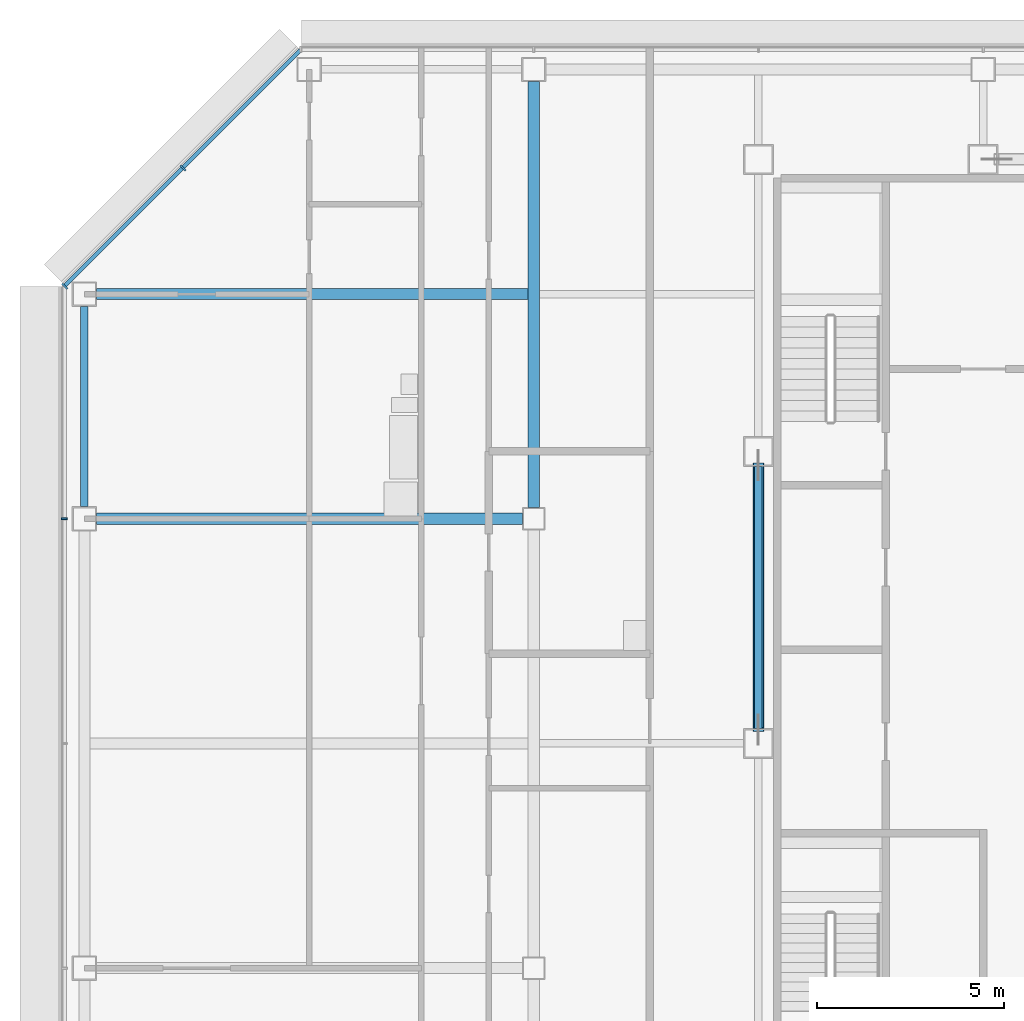
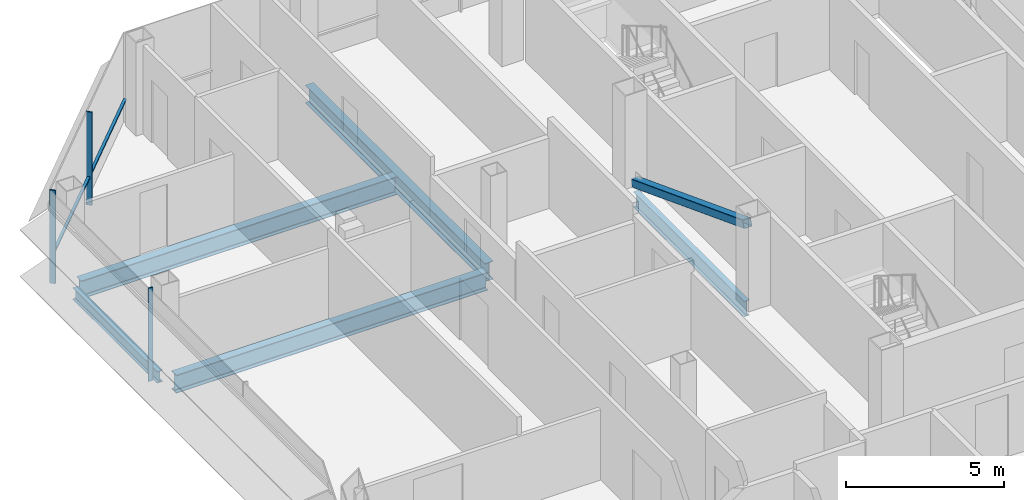
# One storey, part 11 of 26: 5 beams, 5 members, 2 elements without a shape of their own.
"""IFC4 building model written with IfcOpenShell, lengths in metres."""

from ifc_helpers import new_model, si_unit, direction, frame, origin, origin_2d, place, context, subcontext, project, spatial, rectangle, hollow_rectangle, i_section, extrude, material, material_profile, profile_set, type_object, element, aggregate, save


model = new_model("IFC4")

# Units and contexts
model_context = context("Model", 3, precision=1e-05, world=origin(), true_north=direction((0.0, 1.0)))
body_context = subcontext(model_context, "Body", "Model", "MODEL_VIEW")
ifc_project = project(units=[si_unit("LENGTHUNIT", "METRE"), si_unit("AREAUNIT", "SQUARE_METRE"), si_unit("VOLUMEUNIT", "CUBIC_METRE"), si_unit("PLANEANGLEUNIT", "RADIAN"), si_unit("MASSUNIT", "GRAM", prefix="KILO")], contexts=[model_context])

# Site, building, storey
site_placement = place(None, origin())
site = spatial("IfcSite", under=ifc_project, at=site_placement, CompositionType="ELEMENT")
building_placement = place(site_placement, origin())
building = spatial("IfcBuilding", under=site, at=building_placement, Name="Sorahane Residences", CompositionType="ELEMENT")
storey_placement = place(building_placement, frame((0.0, 0.0, 243.199951171875)))
storey = spatial("IfcBuildingStorey", under=building, at=storey_placement, Name="L57", CompositionType="ELEMENT", Elevation=243.199951171875)

# Member
ifc_material_1 = material(Name="Steel Q355B", Category="steel")
ifc_material_profile_1 = material_profile(ifc_material_1, hollow_rectangle(XDim=0.300048828125, YDim=0.300048828125, WallThickness=0.01611328125, InnerFilletRadius=0.008056640625, OuterFilletRadius=0.02392578125, at=origin_2d()), Name="RHS 300x300x16")
ifc_profile_set_1 = profile_set([ifc_material_profile_1], Name="Steel Q355B")
member_type_1 = type_object("IfcMemberType", Name="Core brace RHS 300x300x16 Q355B", PredefinedType="BRACE", material=ifc_profile_set_1)
member_1_placement = place(storey_placement, frame((6.0, 37.43212890625, 0.1376953125), z_axis=(0.0, -0.934335722983, 0.356394103147), x_axis=(1.0, 0.0, 0.0)))
element("IfcMember", 1, at=member_1_placement, inside=storey, type_object=member_type_1, Name="Core brace L57 x6-2", PredefinedType="BRACE", context=body_context, shape_type="SweptSolid", body=[
    extrude(hollow_rectangle(XDim=0.300048828125, YDim=0.300048828125, WallThickness=0.01611328125, InnerFilletRadius=0.008056640625, OuterFilletRadius=0.02392578125, at=origin_2d()), origin(), (0.0, 0.0, 1.0), 7.560791015625),
])

# Curtain wall, member
ifc_material_2 = material(Name="Dark low-e glass and black anodised aluminium", Category="aluminium")
curtain_wall_type_1 = type_object("IfcCurtainWallType", Name="Curtain wall CW-1 Typical unitised wall", PredefinedType="NOTDEFINED", material=ifc_material_2)
curtain_wall_1_placement = place(storey_placement, origin())
curtain_wall_1 = element("IfcCurtainWall", 2, at=curtain_wall_1_placement, inside=storey, type_object=curtain_wall_type_1, Name="CW-1 curtain wall L57 W1", PredefinedType="NOTDEFINED")
ifc_material_3 = material(Name="Black anodised aluminium", Category="aluminium")
ifc_material_profile_2 = material_profile(ifc_material_3, rectangle(XDim=0.159912109375, YDim=0.050048828125, at=origin_2d()), Name="Curtain wall mullion CW-1 black anodised aluminium 50x160")
ifc_profile_set_2 = profile_set([ifc_material_profile_2], Name="Black anodised aluminium")
member_type_2 = type_object("IfcMemberType", Name="Curtain wall mullion CW-1 black anodised aluminium 50x160", PredefinedType="MULLION", material=ifc_profile_set_2)
member_2_placement = place(storey_placement, frame((-12.5400390625, 36.0, -0.179931640625), z_axis=(0.0, 0.0, 1.0), x_axis=(-1.0, 0.0, 0.0)))
member_2 = element("IfcMember", 3, at=member_2_placement, type_object=member_type_2, Name="CW-1 mullion L57 W1.2", PredefinedType="MULLION", context=body_context, shape_type="SweptSolid", body=[
    extrude(rectangle(XDim=0.159912109375, YDim=0.050048828125, at=origin_2d()), origin(), (0.0, 0.0, 1.0), 3.60009765625),
])
aggregate(curtain_wall_1, [member_2])

# Curtain wall, members
ifc_material_4 = material(Name="Dark low-e glass and black anodised aluminium", Category="aluminium")
curtain_wall_type_2 = type_object("IfcCurtainWallType", Name="Curtain wall CW-2 Chamfer unitised wall", PredefinedType="NOTDEFINED", material=ifc_material_4)
curtain_wall_2_placement = place(storey_placement, origin())
curtain_wall_2 = element("IfcCurtainWall", 4, at=curtain_wall_2_placement, inside=storey, type_object=curtain_wall_type_2, Name="CW-2 curtain wall L57 NW1", PredefinedType="NOTDEFINED")
ifc_material_5 = material(Name="Black anodised aluminium", Category="aluminium")
ifc_material_profile_3 = material_profile(ifc_material_5, rectangle(XDim=0.199951171875, YDim=0.050048828125, at=origin_2d()), Name="Curtain wall mullion CW-2 black anodised aluminium 50x200")
ifc_profile_set_3 = profile_set([ifc_material_profile_3], Name="Black anodised aluminium")
member_type_3 = type_object("IfcMemberType", Name="Curtain wall mullion CW-2 black anodised aluminium 50x200", PredefinedType="MULLION", material=ifc_profile_set_3)
member_3_placement = place(storey_placement, frame((-9.36767578125, 45.36767578125, -0.179931640625), z_axis=(0.0, 0.0, 1.0), x_axis=(-0.707106781187, 0.707106781187, 0.0)))
member_3 = element("IfcMember", 5, at=member_3_placement, type_object=member_type_3, Name="CW-2 mullion L57 NW1.2", PredefinedType="MULLION", context=body_context, shape_type="SweptSolid", body=[
    extrude(rectangle(XDim=0.199951171875, YDim=0.050048828125, at=origin_2d()), origin(), (0.0, 0.0, 1.0), 3.60009765625),
])
member_4_placement = place(storey_placement, frame((-12.525634765625, 42.209716796875, -0.179931640625), z_axis=(0.0, 0.0, 1.0), x_axis=(-0.707106781187, 0.707106781187, 0.0)))
member_4 = element("IfcMember", 6, at=member_4_placement, type_object=member_type_3, Name="CW-2 mullion L57 NW1.3", PredefinedType="MULLION", context=body_context, shape_type="SweptSolid", body=[
    extrude(rectangle(XDim=0.199951171875, YDim=0.050048828125, at=origin_2d()), origin(), (0.0, 0.0, 1.0), 3.60009765625),
])
ifc_material_6 = material(Name="Black anodised aluminium", Category="aluminium")
ifc_material_profile_4 = material_profile(ifc_material_6, rectangle(XDim=0.10009765625, YDim=0.06005859375, at=origin_2d()), Name="Curtain wall transom CW-2 black anodised aluminium 60x100")
ifc_profile_set_4 = profile_set([ifc_material_profile_4], Name="Black anodised aluminium")
member_type_4 = type_object("IfcMemberType", Name="Curtain wall transom CW-2 black anodised aluminium 60x100", PredefinedType="USERDEFINED", material=ifc_profile_set_4)
member_5_placement = place(storey_placement, frame((-6.234375, 48.51513671875, 0.900146484375), z_axis=(-0.707106781187, -0.707106781187, 0.0), x_axis=(0.707106781187, -0.707106781187, 0.0)))
member_5 = element("IfcMember", 7, at=member_5_placement, type_object=member_type_4, Name="CW-2 transom L57 NW1", ObjectType="TRANSOM", PredefinedType="USERDEFINED", context=body_context, shape_type="SweptSolid", body=[
    extrude(rectangle(XDim=0.10009765625, YDim=0.06005859375, at=origin_2d()), origin(), (0.0, 0.0, 1.0), 8.88232421875),
])
aggregate(curtain_wall_2, [member_3, member_4, member_5])

# Beams
ifc_material_7 = material(Name="Steel Q355B", Category="steel")
ifc_material_profile_5 = material_profile(ifc_material_7, i_section(OverallWidth=0.199951171875, OverallDepth=0.449951171875, WebThickness=0.009033203125, FlangeThickness=0.013916015625, FilletRadius=0.02001953125, at=origin_2d()), Name="HN 450x200x9x14")
ifc_profile_set_5 = profile_set([ifc_material_profile_5], Name="Steel Q355B")
beam_type_1 = type_object("IfcBeamType", Name="Steel floor beam HN 450x200x9x14 Q355B", PredefinedType="BEAM", material=ifc_profile_set_5)
beam_1_placement = place(storey_placement, frame((-12.0, 36.324951171875, -0.405029296875), z_axis=(0.0, 1.0, 0.0), x_axis=(-1.0, 0.0, 0.0)))
element("IfcBeam", 8, at=beam_1_placement, inside=storey, type_object=beam_type_1, Name="Beam L57 023", PredefinedType="BEAM", context=body_context, shape_type="SweptSolid", body=[
    extrude(i_section(OverallWidth=0.199951171875, OverallDepth=0.449951171875, WebThickness=0.009033203125, FlangeThickness=0.013916015625, FilletRadius=0.02001953125, at=origin_2d()), origin(), (0.0, 0.0, 1.0), 5.35009765625),
])
ifc_material_8 = material(Name="Steel Q355B", Category="steel")
ifc_material_profile_6 = material_profile(ifc_material_8, i_section(OverallWidth=0.199951171875, OverallDepth=0.60009765625, WebThickness=0.010986328125, FlangeThickness=0.01708984375, FilletRadius=0.02392578125, at=origin_2d()), Name="HN 600x200x11x17")
ifc_profile_set_6 = profile_set([ifc_material_profile_6], Name="Steel Q355B")
beam_type_2 = type_object("IfcBeamType", Name="Steel floor beam HN 600x200x11x17 Q355B", PredefinedType="BEAM", material=ifc_profile_set_6)
beam_2_placement = place(storey_placement, frame((6.0, 30.39990234375, -0.47998046875), z_axis=(0.0, 1.0, 0.0), x_axis=(-1.0, 0.0, 0.0)))
element("IfcBeam", 9, at=beam_2_placement, inside=storey, type_object=beam_type_2, Name="Beam L57 031", PredefinedType="BEAM", context=body_context, shape_type="SweptSolid", body=[
    extrude(i_section(OverallWidth=0.199951171875, OverallDepth=0.60009765625, WebThickness=0.010986328125, FlangeThickness=0.01708984375, FilletRadius=0.02392578125, at=origin_2d()), origin(), (0.0, 0.0, 1.0), 7.0),
])
ifc_material_9 = material(Name="Steel Q355B", Category="steel")
ifc_material_profile_7 = material_profile(ifc_material_9, i_section(OverallWidth=0.300048828125, OverallDepth=0.699951171875, WebThickness=0.012939453125, FlangeThickness=0.02392578125, FilletRadius=0.028076171875, at=origin_2d()), Name="HN 700x300x13x24")
ifc_profile_set_7 = profile_set([ifc_material_profile_7], Name="Steel Q355B")
beam_type_3 = type_object("IfcBeamType", Name="Steel floor beam HN 700x300x13x24 Q355B", PredefinedType="BEAM", material=ifc_profile_set_7)
for number, where, z_axis, x_axis, name in (
    (10, (-11.675048828125, 36.0, -0.530029296875), (1.0, 0.0, 0.0), (0.0, 1.0, 0.0), "Beam L57 013"),
    (11, (0.0, 36.300048828125, -0.530029296875), (0.0, 1.0, 0.0), (-1.0, 0.0, 0.0), "Beam L57 027"),
):
    element("IfcBeam", number, at=place(storey_placement, frame(where, z_axis=z_axis, x_axis=x_axis)), inside=storey, type_object=beam_type_3, Name=name, PredefinedType="BEAM", context=body_context, shape_type="SweptSolid", body=[
        extrude(i_section(OverallWidth=0.300048828125, OverallDepth=0.699951171875, WebThickness=0.012939453125, FlangeThickness=0.02392578125, FilletRadius=0.028076171875, at=origin_2d()), origin(), (0.0, 0.0, 1.0), 11.375),
    ])
beam_3_placement = place(storey_placement, frame((-11.675048828125, 42.0, -0.530029296875), z_axis=(1.0, 0.0, 0.0), x_axis=(0.0, 1.0, 0.0)))
element("IfcBeam", 12, at=beam_3_placement, inside=storey, type_object=beam_type_3, Name="Beam L57 089", PredefinedType="BEAM", context=body_context, shape_type="SweptSolid", body=[
    extrude(i_section(OverallWidth=0.300048828125, OverallDepth=0.699951171875, WebThickness=0.012939453125, FlangeThickness=0.02392578125, FilletRadius=0.028076171875, at=origin_2d()), origin(), (0.0, 0.0, 1.0), 11.525146484375),
])

save(model, "model.ifc")
